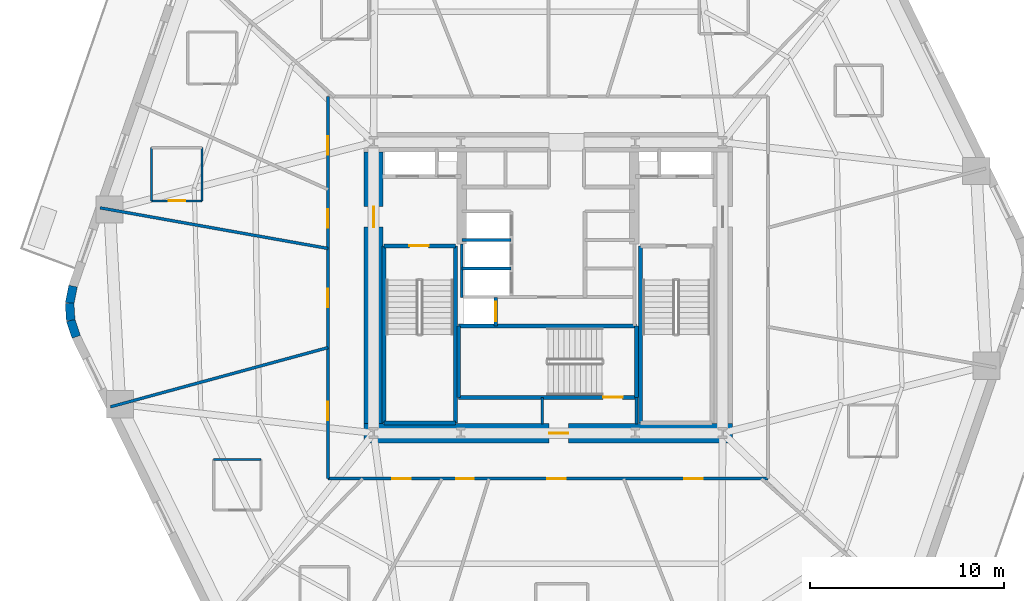
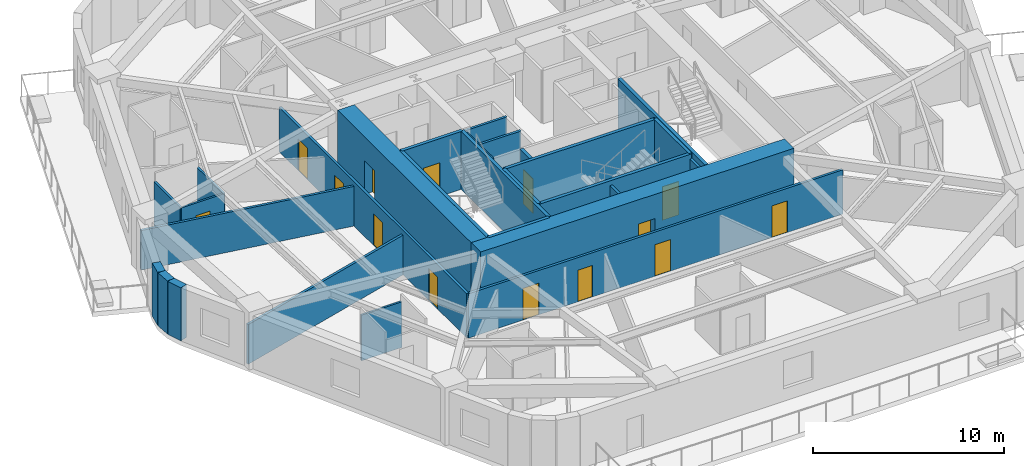
# One storey, part 3 of 10: 28 walls, 14 doors, 14 openings.
"""IFC4 building model written with IfcOpenShell, lengths in metres."""

from ifc_helpers import new_model, si_unit, direction, frame, frame_2d, origin, place, context, subcontext, project, spatial, rectangle, extrude, material, layer, layer_set, type_object, element, fill, save


model = new_model("IFC4")

# Units and contexts
model_context = context("Model", 3, precision=1e-05, world=origin(), true_north=direction((0.0, 1.0)))
body_context = subcontext(model_context, "Body", "Model", "MODEL_VIEW")
ifc_project = project(units=[si_unit("LENGTHUNIT", "METRE"), si_unit("AREAUNIT", "SQUARE_METRE"), si_unit("VOLUMEUNIT", "CUBIC_METRE"), si_unit("PLANEANGLEUNIT", "RADIAN"), si_unit("MASSUNIT", "GRAM", prefix="KILO")], contexts=[model_context])

# Site, building, storey
site_placement = place(None, origin())
site = spatial("IfcSite", under=ifc_project, at=site_placement, CompositionType="ELEMENT")
building_placement = place(site_placement, origin())
building = spatial("IfcBuilding", under=site, at=building_placement, Name="Kilnhurst Terrace Hotel", CompositionType="ELEMENT")
storey_placement = place(building_placement, frame((0.0, 0.0, 67.5)))
storey = spatial("IfcBuildingStorey", under=building, at=storey_placement, Name="L15", CompositionType="ELEMENT", Elevation=67.5)

# Walls
ifc_material_1 = material(Name="Precast concrete C40/50", Category="concrete")
ifc_layer_1 = layer(ifc_material_1, 0.449951171875, Name="Precast concrete C40/50")
ifc_layer_set_1 = layer_set([ifc_layer_1], Name="Precast concrete C40/50")
wall_type_1 = type_object("IfcWallType", Name="WL-BRK-450", PredefinedType="SOLIDWALL", material=ifc_layer_set_1)
wall_1_placement = place(storey_placement, frame((-24.49560546875, 0.07666015625, 0.0), z_axis=(0.0, 0.0, 1.0), x_axis=(-0.199570594521, -0.979883451132, 0.0)))
element("IfcWall", 1, at=wall_1_placement, inside=storey, type_object=wall_type_1, Name="L15 Rounded Corner Brick Wall C6.1", PredefinedType="SOLIDWALL", context=body_context, shape_type="SweptSolid", body=[
    extrude(rectangle(XDim=0.896728515625, YDim=0.449951171875, at=frame_2d((0.4482421875, 0.0))), origin(), (0.0, 0.0, 1.0), 3.39990234375),
])
wall_2_placement = place(storey_placement, frame((-24.674560546875, -0.802001953125, 0.0), z_axis=(0.0, 0.0, 1.0), x_axis=(0.061188874166, -0.998126205286, 0.0)))
element("IfcWall", 2, at=wall_2_placement, inside=storey, type_object=wall_type_1, Name="L15 Rounded Corner Brick Wall C6.2", PredefinedType="SOLIDWALL", context=body_context, shape_type="SweptSolid", body=[
    extrude(rectangle(XDim=0.8818359375, YDim=0.449951171875, at=frame_2d((0.44091796875, 0.0))), origin(), (0.0, 0.0, 1.0), 3.39990234375),
])
wall_3_placement = place(storey_placement, frame((-24.62060546875, -1.68212890625, 0.0), z_axis=(0.0, 0.0, 1.0), x_axis=(0.317697451681, -0.948192137278, 0.0)))
element("IfcWall", 3, at=wall_3_placement, inside=storey, type_object=wall_type_1, Name="L15 Rounded Corner Brick Wall C6.3", PredefinedType="SOLIDWALL", context=body_context, shape_type="SweptSolid", body=[
    extrude(rectangle(XDim=0.896728515625, YDim=0.449951171875, at=frame_2d((0.4482421875, 0.0))), origin(), (0.0, 0.0, 1.0), 3.39990234375),
])

# Wall, openings, doors
ifc_material_2 = material(Name="Acoustic Double-Gypsum Corridor Partition Assembly")
ifc_layer_2 = layer(ifc_material_2, 0.14990234375, Name="Acoustic Double-Gypsum Corridor Partition Assembly")
ifc_layer_set_2 = layer_set([ifc_layer_2], Name="Acoustic Double-Gypsum Corridor Partition Assembly")
wall_type_2 = type_object("IfcWallType", Name="WL-COR-150", PredefinedType="PARTITIONING", material=ifc_layer_set_2)
wall_4_placement = place(storey_placement, frame((-11.35009765625, -9.85009765625, 0.0), z_axis=(0.0, 0.0, 1.0), x_axis=(0.0, 1.0, 0.0)))
wall_4 = element("IfcWall", 4, at=wall_4_placement, inside=storey, type_object=wall_type_2, Name="L15 Interior Wall WL-L15-COR-01", PredefinedType="PARTITIONING", context=body_context, shape_type="SweptSolid", body=[
    extrude(rectangle(XDim=19.7001953125, YDim=0.14990234375, at=frame_2d((9.85009765625, 0.0))), origin(), (0.0, 0.0, 1.0), 2.840087890625),
])
opening_1_placement = place(wall_4_placement, frame((16.714111328125, 0.0, 0.0)))
opening_1 = element("IfcOpeningElement", 5, at=opening_1_placement, cuts=wall_4, Name="Opening D-60B", PredefinedType="OPENING", context=body_context, shape_type="SweptSolid", body=[
    extrude(rectangle(XDim=0.949951171875, YDim=2.030029296875, at=frame_2d((0.47509765625, 1.01513671875))), frame((0.0, 0.0849609375, 0.0), z_axis=(0.0, -1.0, 0.0), x_axis=(1.0, 0.0, 0.0)), (0.0, 0.0, 1.0), 0.169921875),
])
opening_2_placement = place(wall_4_placement, frame((12.931884765625, 0.0, 0.0)))
opening_2 = element("IfcOpeningElement", 6, at=opening_2_placement, cuts=wall_4, Name="Opening D-60B", PredefinedType="OPENING", context=body_context, shape_type="SweptSolid", body=[
    extrude(rectangle(XDim=0.949951171875, YDim=2.030029296875, at=frame_2d((0.47509765625, 1.01513671875))), frame((0.0, 0.0849609375, 0.0), z_axis=(0.0, -1.0, 0.0), x_axis=(1.0, 0.0, 0.0)), (0.0, 0.0, 1.0), 0.169921875),
])
opening_3_placement = place(wall_4_placement, frame((8.837890625, 0.0, 0.0)))
opening_3 = element("IfcOpeningElement", 7, at=opening_3_placement, cuts=wall_4, Name="Opening D-60B", PredefinedType="OPENING", context=body_context, shape_type="SweptSolid", body=[
    extrude(rectangle(XDim=0.949951171875, YDim=2.030029296875, at=frame_2d((0.47509765625, 1.01513671875))), frame((0.0, 0.0849609375, 0.0), z_axis=(0.0, -1.0, 0.0), x_axis=(1.0, 0.0, 0.0)), (0.0, 0.0, 1.0), 0.169921875),
])
opening_4_placement = place(wall_4_placement, frame((3.02392578125, 0.0, 0.0)))
opening_4 = element("IfcOpeningElement", 8, at=opening_4_placement, cuts=wall_4, Name="Opening D-60B", PredefinedType="OPENING", context=body_context, shape_type="SweptSolid", body=[
    extrude(rectangle(XDim=0.949951171875, YDim=2.030029296875, at=frame_2d((0.47509765625, 1.01513671875))), frame((0.0, 0.0849609375, 0.0), z_axis=(0.0, -1.0, 0.0), x_axis=(1.0, 0.0, 0.0)), (0.0, 0.0, 1.0), 0.169921875),
])
ifc_material_3 = material(Name="Acoustic Walnut Veneer Solid-Core Fire Door")
door_type_1 = type_object("IfcDoorType", Name="DR-FD60-950", OperationType="NOTDEFINED", PredefinedType="DOOR", material=ifc_material_3)
door_1_placement = place(opening_1_placement, origin())
door_1 = element("IfcDoor", 9, at=door_1_placement, inside=storey, type_object=door_type_1, Name="L15 Guest Room Entry Door 6", OperationType="SINGLE_SWING_RIGHT", OverallHeight=2.030029296875, OverallWidth=0.949951171875, PredefinedType="DOOR", context=body_context, shape_type="SweptSolid", body=[
    extrude(rectangle(XDim=0.949951171875, YDim=2.030029296875, at=frame_2d((0.47509765625, 1.01513671875))), frame((0.0, 0.02490234375, 0.0), z_axis=(0.0, -1.0, 0.0), x_axis=(1.0, 0.0, 0.0)), (0.0, 0.0, 1.0), 0.050048828125),
])
fill(opening_1, door_1)
door_2_placement = place(opening_2_placement, origin())
door_2 = element("IfcDoor", 10, at=door_2_placement, inside=storey, type_object=door_type_1, Name="L15 Guest Room Entry Door 7", OperationType="SINGLE_SWING_LEFT", OverallHeight=2.030029296875, OverallWidth=0.949951171875, PredefinedType="DOOR", context=body_context, shape_type="SweptSolid", body=[
    extrude(rectangle(XDim=0.949951171875, YDim=2.030029296875, at=frame_2d((0.47509765625, 1.01513671875))), frame((0.0, 0.02490234375, 0.0), z_axis=(0.0, -1.0, 0.0), x_axis=(1.0, 0.0, 0.0)), (0.0, 0.0, 1.0), 0.050048828125),
])
fill(opening_2, door_2)
door_3_placement = place(opening_3_placement, origin())
door_3 = element("IfcDoor", 11, at=door_3_placement, inside=storey, type_object=door_type_1, Name="L15 Wellness Treatment Suite Door", OperationType="SINGLE_SWING_RIGHT", OverallHeight=2.030029296875, OverallWidth=0.949951171875, PredefinedType="DOOR", context=body_context, shape_type="SweptSolid", body=[
    extrude(rectangle(XDim=0.949951171875, YDim=2.030029296875, at=frame_2d((0.47509765625, 1.01513671875))), frame((0.0, 0.02490234375, 0.0), z_axis=(0.0, -1.0, 0.0), x_axis=(1.0, 0.0, 0.0)), (0.0, 0.0, 1.0), 0.050048828125),
])
fill(opening_3, door_3)
door_4_placement = place(opening_4_placement, origin())
door_4 = element("IfcDoor", 12, at=door_4_placement, inside=storey, type_object=door_type_1, Name="L15 Executive Suite Entry Door 9", OperationType="SINGLE_SWING_LEFT", OverallHeight=2.030029296875, OverallWidth=0.949951171875, PredefinedType="DOOR", context=body_context, shape_type="SweptSolid", body=[
    extrude(rectangle(XDim=0.949951171875, YDim=2.030029296875, at=frame_2d((0.47509765625, 1.01513671875))), frame((0.0, 0.02490234375, 0.0), z_axis=(0.0, -1.0, 0.0), x_axis=(1.0, 0.0, 0.0)), (0.0, 0.0, 1.0), 0.050048828125),
])
fill(opening_4, door_4)

wall_5_placement = place(storey_placement, frame((11.35009765625, -9.85009765625, 0.0), z_axis=(0.0, 0.0, 1.0), x_axis=(-1.0, 0.0, 0.0)))
wall_5 = element("IfcWall", 13, at=wall_5_placement, inside=storey, type_object=wall_type_2, Name="L15 Interior Wall WL-L15-COR-04", PredefinedType="PARTITIONING", context=body_context, shape_type="SweptSolid", body=[
    extrude(rectangle(XDim=22.7001953125, YDim=0.14990234375, at=frame_2d((11.35009765625, 0.0))), origin(), (0.0, 0.0, 1.0), 2.840087890625),
])
opening_5_placement = place(wall_5_placement, frame((18.43603515625, 0.0, 0.0)))
opening_5 = element("IfcOpeningElement", 14, at=opening_5_placement, cuts=wall_5, Name="Opening D-60B", PredefinedType="OPENING", context=body_context, shape_type="SweptSolid", body=[
    extrude(rectangle(XDim=0.949951171875, YDim=2.030029296875, at=frame_2d((0.47509765625, 1.01513671875))), frame((0.0, 0.0849609375, 0.0), z_axis=(0.0, -1.0, 0.0), x_axis=(1.0, 0.0, 0.0)), (0.0, 0.0, 1.0), 0.169921875),
])
opening_6_placement = place(wall_5_placement, frame((15.176025390625, 0.0, 0.0)))
opening_6 = element("IfcOpeningElement", 15, at=opening_6_placement, cuts=wall_5, Name="Opening D-60C", PredefinedType="OPENING", context=body_context, shape_type="SweptSolid", body=[
    extrude(rectangle(XDim=0.89990234375, YDim=2.030029296875, at=frame_2d((0.449951171875, 1.01513671875))), frame((0.0, 0.0849609375, 0.0), z_axis=(0.0, -1.0, 0.0), x_axis=(1.0, 0.0, 0.0)), (0.0, 0.0, 1.0), 0.169921875),
])
opening_7_placement = place(wall_5_placement, frame((10.444091796875, 0.0, 0.0)))
opening_7 = element("IfcOpeningElement", 16, at=opening_7_placement, cuts=wall_5, Name="Opening D-60B", PredefinedType="OPENING", context=body_context, shape_type="SweptSolid", body=[
    extrude(rectangle(XDim=0.949951171875, YDim=2.030029296875, at=frame_2d((0.47509765625, 1.01513671875))), frame((0.0, 0.0849609375, 0.0), z_axis=(0.0, -1.0, 0.0), x_axis=(1.0, 0.0, 0.0)), (0.0, 0.0, 1.0), 0.169921875),
])
opening_8_placement = place(wall_5_placement, frame((3.368896484375, 0.0, 0.0)))
opening_8 = element("IfcOpeningElement", 17, at=opening_8_placement, cuts=wall_5, Name="Opening D-60B", PredefinedType="OPENING", context=body_context, shape_type="SweptSolid", body=[
    extrude(rectangle(XDim=0.949951171875, YDim=2.030029296875, at=frame_2d((0.47509765625, 1.01513671875))), frame((0.0, 0.0849609375, 0.0), z_axis=(0.0, -1.0, 0.0), x_axis=(1.0, 0.0, 0.0)), (0.0, 0.0, 1.0), 0.169921875),
])
ifc_material_4 = material(Name="Painted Solid-Core Service Fire Door")
door_type_2 = type_object("IfcDoorType", Name="DR-FD60-900", OperationType="NOTDEFINED", PredefinedType="DOOR", material=ifc_material_4)
door_5_placement = place(opening_6_placement, origin())
door_5 = element("IfcDoor", 18, at=door_5_placement, inside=storey, type_object=door_type_2, Name="L15 Executive Work Office Door 11", OperationType="SINGLE_SWING_LEFT", OverallHeight=2.030029296875, OverallWidth=0.89990234375, PredefinedType="DOOR", context=body_context, shape_type="SweptSolid", body=[
    extrude(rectangle(XDim=0.89990234375, YDim=2.030029296875, at=frame_2d((0.449951171875, 1.01513671875))), frame((0.0, 0.02490234375, 0.0), z_axis=(0.0, -1.0, 0.0), x_axis=(1.0, 0.0, 0.0)), (0.0, 0.0, 1.0), 0.050048828125),
])
fill(opening_6, door_5)
door_6_placement = place(opening_5_placement, origin())
door_6 = element("IfcDoor", 19, at=door_6_placement, inside=storey, type_object=door_type_1, Name="L15 Guest Room Entry Door 10", OperationType="SINGLE_SWING_RIGHT", OverallHeight=2.030029296875, OverallWidth=0.949951171875, PredefinedType="DOOR", context=body_context, shape_type="SweptSolid", body=[
    extrude(rectangle(XDim=0.949951171875, YDim=2.030029296875, at=frame_2d((0.47509765625, 1.01513671875))), frame((0.0, 0.02490234375, 0.0), z_axis=(0.0, -1.0, 0.0), x_axis=(1.0, 0.0, 0.0)), (0.0, 0.0, 1.0), 0.050048828125),
])
fill(opening_5, door_6)
door_7_placement = place(opening_7_placement, origin())
door_7 = element("IfcDoor", 20, at=door_7_placement, inside=storey, type_object=door_type_1, Name="L15 Executive Suite Entry Door 12", OperationType="SINGLE_SWING_RIGHT", OverallHeight=2.030029296875, OverallWidth=0.949951171875, PredefinedType="DOOR", context=body_context, shape_type="SweptSolid", body=[
    extrude(rectangle(XDim=0.949951171875, YDim=2.030029296875, at=frame_2d((0.47509765625, 1.01513671875))), frame((0.0, 0.02490234375, 0.0), z_axis=(0.0, -1.0, 0.0), x_axis=(1.0, 0.0, 0.0)), (0.0, 0.0, 1.0), 0.050048828125),
])
fill(opening_7, door_7)
door_8_placement = place(opening_8_placement, origin())
door_8 = element("IfcDoor", 21, at=door_8_placement, inside=storey, type_object=door_type_1, Name="L15 Concierge Office Door", OperationType="SINGLE_SWING_LEFT", OverallHeight=2.030029296875, OverallWidth=0.949951171875, PredefinedType="DOOR", context=body_context, shape_type="SweptSolid", body=[
    extrude(rectangle(XDim=0.949951171875, YDim=2.030029296875, at=frame_2d((0.47509765625, 1.01513671875))), frame((0.0, 0.02490234375, 0.0), z_axis=(0.0, -1.0, 0.0), x_axis=(1.0, 0.0, 0.0)), (0.0, 0.0, 1.0), 0.050048828125),
])
fill(opening_8, door_8)

# Wall, opening, door
ifc_material_5 = material(Name="Concrete C80/95", Category="concrete")
ifc_layer_3 = layer(ifc_material_5, 1.0, Name="Concrete C80/95")
ifc_layer_set_3 = layer_set([ifc_layer_3], Name="Concrete C80/95")
wall_type_3 = type_object("IfcWallType", Name="WL-CORE-1000", PredefinedType="SHEAR", material=ifc_layer_set_3)
wall_6_placement = place(storey_placement, frame((-9.5, -7.5, 0.0), z_axis=(0.0, 0.0, 1.0), x_axis=(1.0, 0.0, 0.0)))
wall_6 = element("IfcWall", 22, at=wall_6_placement, inside=storey, type_object=wall_type_3, Name="L15 Core South Shear Wall", PredefinedType="SHEAR", context=body_context, shape_type="SweptSolid", body=[
    extrude(rectangle(XDim=19.0, YDim=1.0, at=frame_2d((9.5, 0.0))), origin(), (0.0, 0.0, 1.0), 3.699951171875),
])
opening_9_placement = place(wall_6_placement, frame((9.550048828125, 0.0, 0.0)))
opening_9 = element("IfcOpeningElement", 23, at=opening_9_placement, cuts=wall_6, Name="Opening D-90B", PredefinedType="OPENING", context=body_context, shape_type="SweptSolid", body=[
    extrude(rectangle(XDim=1.0, YDim=2.14990234375, at=frame_2d((0.5, 1.074951171875))), frame((0.0, 0.510009765625, 0.0), z_axis=(0.0, -1.0, 0.0), x_axis=(1.0, 0.0, 0.0)), (0.0, 0.0, 1.0), 1.02001953125),
])
ifc_material_6 = material(Name="Painted Hollow Metal Steel ASTM A36 Fire Door", Category="steel")
door_type_3 = type_object("IfcDoorType", Name="DR-FD90-1000", OperationType="NOTDEFINED", PredefinedType="DOOR", material=ifc_material_6)
door_9_placement = place(opening_9_placement, origin())
door_9 = element("IfcDoor", 24, at=door_9_placement, inside=storey, type_object=door_type_3, Name="L15 Stair ST-3 Corridor Door", OperationType="SINGLE_SWING_RIGHT", OverallHeight=2.14990234375, OverallWidth=1.0, PredefinedType="DOOR", context=body_context, shape_type="SweptSolid", body=[
    extrude(rectangle(XDim=1.0, YDim=2.14990234375, at=frame_2d((0.5, 1.074951171875))), frame((0.0, 0.02490234375, 0.0), z_axis=(0.0, -1.0, 0.0), x_axis=(1.0, 0.0, 0.0)), (0.0, 0.0, 1.0), 0.050048828125),
])
fill(opening_9, door_9)

wall_7_placement = place(storey_placement, frame((-9.0, -7.0, 0.0), z_axis=(0.0, 0.0, 1.0), x_axis=(0.0, 1.0, 0.0)))
wall_7 = element("IfcWall", 25, at=wall_7_placement, inside=storey, type_object=wall_type_3, Name="L15 Core West Shear Wall", PredefinedType="SHEAR", context=body_context, shape_type="SweptSolid", body=[
    extrude(rectangle(XDim=14.0, YDim=1.0, at=frame_2d((7.0, 0.0))), origin(), (0.0, 0.0, 1.0), 3.699951171875),
])
opening_10_placement = place(wall_7_placement, frame((10.125, 0.0, 0.0)))
opening_10 = element("IfcOpeningElement", 26, at=opening_10_placement, cuts=wall_7, Name="Opening D-90A", PredefinedType="OPENING", context=body_context, shape_type="SweptSolid", body=[
    extrude(rectangle(XDim=1.050048828125, YDim=2.14990234375, at=frame_2d((0.52490234375, 1.074951171875))), frame((0.0, 0.510009765625, 0.0), z_axis=(0.0, -1.0, 0.0), x_axis=(1.0, 0.0, 0.0)), (0.0, 0.0, 1.0), 1.02001953125),
])
door_type_4 = type_object("IfcDoorType", Name="DR-FD90-1050", OperationType="NOTDEFINED", PredefinedType="DOOR", material=ifc_material_6)
door_10_placement = place(opening_10_placement, origin())
door_10 = element("IfcDoor", 27, at=door_10_placement, inside=storey, type_object=door_type_4, Name="L15 West Firefighting Lobby Door", OperationType="SINGLE_SWING_RIGHT", OverallHeight=2.14990234375, OverallWidth=1.050048828125, PredefinedType="DOOR", context=body_context, shape_type="SweptSolid", body=[
    extrude(rectangle(XDim=1.050048828125, YDim=2.14990234375, at=frame_2d((0.52490234375, 1.074951171875))), frame((0.0, 0.02490234375, 0.0), z_axis=(0.0, -1.0, 0.0), x_axis=(1.0, 0.0, 0.0)), (0.0, 0.0, 1.0), 0.050048828125),
])
fill(opening_10, door_10)

# Walls
ifc_material_7 = material(Name="STC-58 Acoustic Twin-Frame Guestroom Demising Partition")
ifc_layer_4 = layer(ifc_material_7, 0.14990234375, Name="STC-58 Acoustic Twin-Frame Guestroom Demising Partition")
ifc_layer_set_4 = layer_set([ifc_layer_4], Name="STC-58 Acoustic Twin-Frame Guestroom Demising Partition")
wall_type_4 = type_object("IfcWallType", Name="WL-DEM-150", PredefinedType="PARTITIONING", material=ifc_layer_set_4)
wall_8_placement = place(storey_placement, frame((-11.35009765625, 2.022705078125, 0.0), z_axis=(0.0, 0.0, 1.0), x_axis=(-0.984493741877, 0.17541970301, 0.0)))
element("IfcWall", 28, at=wall_8_placement, inside=storey, type_object=wall_type_4, Name="L15 Interior Wall WL-L15-DEM-COL06-08-1", PredefinedType="PARTITIONING", context=body_context, shape_type="SweptSolid", body=[
    extrude(rectangle(XDim=11.93701171875, YDim=0.14990234375, at=frame_2d((5.968505859375, 0.0))), origin(), (0.0, 0.0, 1.0), 2.5400390625),
])
wall_9_placement = place(storey_placement, frame((-11.35009765625, -3.0908203125, 0.0), z_axis=(0.0, 0.0, 1.0), x_axis=(-0.964859685283, -0.262765651704, 0.0)))
element("IfcWall", 29, at=wall_9_placement, inside=storey, type_object=wall_type_4, Name="L15 Interior Wall WL-L15-DEM-COL07-09-1", PredefinedType="PARTITIONING", context=body_context, shape_type="SweptSolid", body=[
    extrude(rectangle(XDim=11.62890625, YDim=0.14990234375, at=frame_2d((5.814453125, 0.0))), origin(), (0.0, 0.0, 1.0), 2.5400390625),
])

# Wall, opening, door
ifc_material_8 = material(Name="120 mm Moisture-Resistant Tile-Backed Bathroom Partition")
ifc_layer_5 = layer(ifc_material_8, 0.1201171875, Name="120 mm Moisture-Resistant Tile-Backed Bathroom Partition")
ifc_layer_set_5 = layer_set([ifc_layer_5], Name="120 mm Moisture-Resistant Tile-Backed Bathroom Partition")
wall_type_5 = type_object("IfcWallType", Name="WL-PART-120", PredefinedType="PARTITIONING", material=ifc_layer_set_5)
wall_10_placement = place(storey_placement, frame((-20.448974609375, 4.47412109375, 0.0), z_axis=(0.0, 0.0, 1.0), x_axis=(1.0, 0.0, 0.0)))
wall_10 = element("IfcWall", 30, at=wall_10_placement, inside=storey, type_object=wall_type_5, Name="L15 Interior Wall WL-L15-BTH-07-1", PredefinedType="PARTITIONING", context=body_context, shape_type="SweptSolid", body=[
    extrude(rectangle(XDim=2.599853515625, YDim=0.1201171875, at=frame_2d((1.2998046875, 0.0))), origin(), (0.0, 0.0, 1.0), 2.840087890625),
])
opening_11_placement = place(wall_10_placement, frame((0.875, 0.0, 0.0)))
opening_11 = element("IfcOpeningElement", 31, at=opening_11_placement, cuts=wall_10, Name="Opening D-08A", PredefinedType="OPENING", context=body_context, shape_type="SweptSolid", body=[
    extrude(rectangle(XDim=0.85009765625, YDim=2.030029296875, at=frame_2d((0.425048828125, 1.01513671875))), frame((0.0, 0.070068359375, 0.0), z_axis=(0.0, -1.0, 0.0), x_axis=(1.0, 0.0, 0.0)), (0.0, 0.0, 1.0), 0.14013671875),
])
ifc_material_9 = material(Name="Moisture-Resistant Lacquered En-suite Bathroom Door")
door_type_5 = type_object("IfcDoorType", Name="DR-INT-850", OperationType="NOTDEFINED", PredefinedType="DOOR", material=ifc_material_9)
door_11_placement = place(opening_11_placement, origin())
door_11 = element("IfcDoor", 32, at=door_11_placement, inside=storey, type_object=door_type_5, Name="L15 En-suite Bathroom Door 7", OperationType="SINGLE_SWING_RIGHT", OverallHeight=2.030029296875, OverallWidth=0.85009765625, PredefinedType="DOOR", context=body_context, shape_type="SweptSolid", body=[
    extrude(rectangle(XDim=0.85009765625, YDim=2.030029296875, at=frame_2d((0.425048828125, 1.01513671875))), frame((0.0, 0.02490234375, 0.0), z_axis=(0.0, -1.0, 0.0), x_axis=(1.0, 0.0, 0.0)), (0.0, 0.0, 1.0), 0.050048828125),
])
fill(opening_11, door_11)

# Walls
for number, where, z_axis, x_axis, name in (
    (33, (-17.84912109375, 4.47412109375, 0.0), (0.0, 0.0, 1.0), (0.0, 1.0, 0.0), "L15 Interior Wall WL-L15-BTH-07-2"),
    (34, (-20.448974609375, 7.22412109375, 0.0), (0.0, 0.0, 1.0), (0.0, -1.0, 0.0), "L15 Interior Wall WL-L15-BTH-07-4"),
):
    element("IfcWall", number, at=place(storey_placement, frame(where, z_axis=z_axis, x_axis=x_axis)), inside=storey, type_object=wall_type_5, Name=name, PredefinedType="PARTITIONING", context=body_context, shape_type="SweptSolid", body=[
        extrude(rectangle(XDim=2.75, YDim=0.1201171875, at=frame_2d((1.375, 0.0))), origin(), (0.0, 0.0, 1.0), 2.840087890625),
    ])
wall_11_placement = place(storey_placement, frame((-14.803955078125, -8.860107421875, 0.0), z_axis=(0.0, 0.0, 1.0), x_axis=(-1.0, 0.0, 0.0)))
element("IfcWall", 35, at=wall_11_placement, inside=storey, type_object=wall_type_5, Name="L15 Interior Wall WL-L15-BTH-09-3", PredefinedType="PARTITIONING", context=body_context, shape_type="SweptSolid", body=[
    extrude(rectangle(XDim=2.43994140625, YDim=0.1201171875, at=frame_2d((1.219970703125, 0.0))), origin(), (0.0, 0.0, 1.0), 2.926513671875),
])
ifc_material_10 = material(Name="Fire-Rated Gypsum Shaftliner Assembly")
ifc_layer_6 = layer(ifc_material_10, 0.14990234375, Name="Fire-Rated Gypsum Shaftliner Assembly")
ifc_layer_set_6 = layer_set([ifc_layer_6], Name="Fire-Rated Gypsum Shaftliner Assembly")
wall_type_6 = type_object("IfcWallType", Name="WL-SHAFT-150", PredefinedType="PARTITIONING", material=ifc_layer_set_6)
for number, where, z_axis, x_axis, name in (
    (36, (-0.300048828125, -7.02001953125, 0.0), (0.0, 0.0, 1.0), (0.0, 1.0, 0.0), "L15 Interior Wall WL-L15-ST3-PSGW"),
    (37, (4.55810546875, -7.02001953125, 0.0), (0.0, 0.0, 1.0), (0.0, 1.0, 0.0), "L15 Interior Wall WL-L15-ST3-PSGE"),
):
    element("IfcWall", number, at=place(storey_placement, frame(where, z_axis=z_axis, x_axis=x_axis)), inside=storey, type_object=wall_type_6, Name=name, PredefinedType="PARTITIONING", context=body_context, shape_type="SweptSolid", body=[
        extrude(rectangle(XDim=1.362060546875, YDim=0.14990234375, at=frame_2d((0.68115234375, 0.0))), origin(), (0.0, 0.0, 1.0), 3.39990234375),
    ])
wall_12_placement = place(storey_placement, frame((-4.449951171875, -0.5, 0.0), z_axis=(0.0, 0.0, 1.0), x_axis=(0.0, 1.0, 0.0)))
element("IfcWall", 38, at=wall_12_placement, inside=storey, type_object=wall_type_6, Name="L15 Interior Wall WL-L15-XLOB-W", PredefinedType="PARTITIONING", context=body_context, shape_type="SweptSolid", body=[
    extrude(rectangle(XDim=2.75, YDim=0.14990234375, at=frame_2d((1.375, 0.0))), origin(), (0.0, 0.0, 1.0), 3.39990234375),
])
for number, where, z_axis, x_axis, name in (
    (39, (-4.449951171875, 0.97998046875, 0.0), (0.0, 0.0, 1.0), (1.0, 0.0, 0.0), "L15 Interior Wall WL-L15-LR-D1"),
    (40, (-4.449951171875, 2.4599609375, 0.0), (0.0, 0.0, 1.0), (1.0, 0.0, 0.0), "L15 Interior Wall WL-L15-LR-D2"),
):
    element("IfcWall", number, at=place(storey_placement, frame(where, z_axis=z_axis, x_axis=x_axis)), inside=storey, type_object=wall_type_6, Name=name, PredefinedType="PARTITIONING", context=body_context, shape_type="SweptSolid", body=[
        extrude(rectangle(XDim=2.550048828125, YDim=0.14990234375, at=frame_2d((1.27490234375, 0.0))), origin(), (0.0, 0.0, 1.0), 3.39990234375),
    ])

# Wall, opening, door
ifc_material_11 = material(Name="Autoclaved Aerated Concrete C30/37 and Gypsum Shaft Assembly", Category="concrete")
ifc_layer_7 = layer(ifc_material_11, 0.199951171875, Name="Autoclaved Aerated Concrete C30/37 and Gypsum Shaft Assembly")
ifc_layer_set_7 = layer_set([ifc_layer_7], Name="Autoclaved Aerated Concrete C30/37 and Gypsum Shaft Assembly")
wall_type_7 = type_object("IfcWallType", Name="WL-SHAFT-200", PredefinedType="PARTITIONING", material=ifc_layer_set_7)
wall_13_placement = place(storey_placement, frame((-2.699951171875, -1.971923828125, 0.0), z_axis=(0.0, 0.0, 1.0), x_axis=(0.0, 1.0, 0.0)))
wall_13 = element("IfcWall", 41, at=wall_13_placement, inside=storey, type_object=wall_type_7, Name="L15 Interior Wall WL-L15-SRV1-E", PredefinedType="PARTITIONING", context=body_context, shape_type="SweptSolid", body=[
    extrude(rectangle(XDim=1.471923828125, YDim=0.199951171875, at=frame_2d((0.73583984375, 0.0))), origin(), (0.0, 0.0, 1.0), 3.39990234375),
])
opening_12_placement = place(wall_13_placement, frame((0.239990234375, 0.0, 0.0)))
opening_12 = element("IfcOpeningElement", 42, at=opening_12_placement, cuts=wall_13, Name="Opening LD-SV", PredefinedType="OPENING", context=body_context, shape_type="SweptSolid", body=[
    extrude(rectangle(XDim=1.0, YDim=2.199951171875, at=frame_2d((0.5, 1.10009765625))), frame((0.0, 0.10986328125, 0.0), z_axis=(0.0, -1.0, 0.0), x_axis=(1.0, 0.0, 0.0)), (0.0, 0.0, 1.0), 0.219970703125),
])
ifc_material_12 = material(Name="Bronze-Anodized Stainless Steel AISI 316L Sliding Door", Category="steel")
door_type_6 = type_object("IfcDoorType", Name="DR-LIFT-1000", OperationType="NOTDEFINED", PredefinedType="DOOR", material=ifc_material_12)
door_12_placement = place(opening_12_placement, origin())
door_12 = element("IfcDoor", 43, at=door_12_placement, inside=storey, type_object=door_type_6, Name="L15 Service Lift SRV-1 Landing Door", OperationType="SLIDING_TO_LEFT", OverallHeight=2.199951171875, OverallWidth=1.0, PredefinedType="DOOR", context=body_context, shape_type="SweptSolid", body=[
    extrude(rectangle(XDim=1.0, YDim=2.199951171875, at=frame_2d((0.5, 1.10009765625))), frame((0.0, 0.02490234375, 0.0), z_axis=(0.0, -1.0, 0.0), x_axis=(1.0, 0.0, 0.0)), (0.0, 0.0, 1.0), 0.050048828125),
])
fill(opening_12, door_12)

# Walls
ifc_material_13 = material(Name="Concrete C50/60", Category="concrete")
ifc_layer_8 = layer(ifc_material_13, 0.199951171875, Name="Concrete C50/60")
ifc_layer_set_8 = layer_set([ifc_layer_8], Name="Concrete C50/60")
wall_type_8 = type_object("IfcWallType", Name="WL-STAIR-RC-200", PredefinedType="SHEAR", material=ifc_layer_set_8)
for number, where, z_axis, x_axis, name in (
    (44, (-8.4580078125, -6.985107421875, 0.0), (0.0, 0.0, 1.0), (0.0, 1.0, 0.0), "L15 Structural Stair Shaft Wall WL-L15-ST1-W"),
    (45, (-4.77197265625, -6.985107421875, 0.0), (0.0, 0.0, 1.0), (0.0, 1.0, 0.0), "L15 Structural Stair Shaft Wall WL-L15-ST1-E"),
):
    element("IfcWall", number, at=place(storey_placement, frame(where, z_axis=z_axis, x_axis=x_axis)), inside=storey, type_object=wall_type_8, Name=name, PredefinedType="SHEAR", context=body_context, shape_type="SweptSolid", body=[
        extrude(rectangle(XDim=9.14306640625, YDim=0.199951171875, at=frame_2d((4.571533203125, 0.0))), origin(), (0.0, 0.0, 1.0), 3.699951171875),
    ])
wall_14_placement = place(storey_placement, frame((-8.4580078125, -6.985107421875, 0.0), z_axis=(0.0, 0.0, 1.0), x_axis=(1.0, 0.0, 0.0)))
element("IfcWall", 46, at=wall_14_placement, inside=storey, type_object=wall_type_8, Name="L15 Structural Stair Shaft Wall WL-L15-ST1-S", PredefinedType="SHEAR", context=body_context, shape_type="SweptSolid", body=[
    extrude(rectangle(XDim=3.68603515625, YDim=0.199951171875, at=frame_2d((1.843017578125, 0.0))), origin(), (0.0, 0.0, 1.0), 3.699951171875),
])

# Wall, opening, door
wall_15_placement = place(storey_placement, frame((-8.4580078125, 2.157958984375, 0.0), z_axis=(0.0, 0.0, 1.0), x_axis=(1.0, 0.0, 0.0)))
wall_15 = element("IfcWall", 47, at=wall_15_placement, inside=storey, type_object=wall_type_8, Name="L15 Structural Stair Shaft Wall WL-L15-ST1-N", PredefinedType="SHEAR", context=body_context, shape_type="SweptSolid", body=[
    extrude(rectangle(XDim=3.68603515625, YDim=0.199951171875, at=frame_2d((1.843017578125, 0.0))), origin(), (0.0, 0.0, 1.0), 3.699951171875),
])
opening_13_placement = place(wall_15_placement, frame((1.300048828125, 0.0, 0.0)))
opening_13 = element("IfcOpeningElement", 48, at=opening_13_placement, cuts=wall_15, Name="Opening D-90B", PredefinedType="OPENING", context=body_context, shape_type="SweptSolid", body=[
    extrude(rectangle(XDim=1.0, YDim=2.14990234375, at=frame_2d((0.5, 1.074951171875))), frame((0.0, 0.10986328125, 0.0), z_axis=(0.0, -1.0, 0.0), x_axis=(1.0, 0.0, 0.0)), (0.0, 0.0, 1.0), 0.219970703125),
])
door_13_placement = place(opening_13_placement, origin())
door_13 = element("IfcDoor", 49, at=door_13_placement, inside=storey, type_object=door_type_3, Name="L15 Stair ST-1 Door", OperationType="SINGLE_SWING_LEFT", OverallHeight=2.14990234375, OverallWidth=1.0, PredefinedType="DOOR", context=body_context, shape_type="SweptSolid", body=[
    extrude(rectangle(XDim=1.0, YDim=2.14990234375, at=frame_2d((0.5, 1.074951171875))), frame((0.0, 0.02490234375, 0.0), z_axis=(0.0, -1.0, 0.0), x_axis=(1.0, 0.0, 0.0)), (0.0, 0.0, 1.0), 0.050048828125),
])
fill(opening_13, door_13)

# Walls
wall_16_placement = place(storey_placement, frame((4.77197265625, -6.985107421875, 0.0), z_axis=(0.0, 0.0, 1.0), x_axis=(0.0, 1.0, 0.0)))
element("IfcWall", 50, at=wall_16_placement, inside=storey, type_object=wall_type_8, Name="L15 Structural Stair Shaft Wall WL-L15-ST2-W", PredefinedType="SHEAR", context=body_context, shape_type="SweptSolid", body=[
    extrude(rectangle(XDim=9.14306640625, YDim=0.199951171875, at=frame_2d((4.571533203125, 0.0))), origin(), (0.0, 0.0, 1.0), 3.699951171875),
])
wall_17_placement = place(storey_placement, frame((-4.60791015625, -5.657958984375, 0.0), z_axis=(0.0, 0.0, 1.0), x_axis=(0.0, 1.0, 0.0)))
element("IfcWall", 51, at=wall_17_placement, inside=storey, type_object=wall_type_8, Name="L15 Structural Stair Shaft Wall WL-L15-ST3-W", PredefinedType="SHEAR", context=body_context, shape_type="SweptSolid", body=[
    extrude(rectangle(XDim=3.68603515625, YDim=0.199951171875, at=frame_2d((1.843017578125, 0.0))), origin(), (0.0, 0.0, 1.0), 3.699951171875),
])

# Wall, opening, door
wall_18_placement = place(storey_placement, frame((-4.60791015625, -5.657958984375, 0.0), z_axis=(0.0, 0.0, 1.0), x_axis=(1.0, 0.0, 0.0)))
wall_18 = element("IfcWall", 52, at=wall_18_placement, inside=storey, type_object=wall_type_8, Name="L15 Structural Stair Shaft Wall WL-L15-ST3-S", PredefinedType="SHEAR", context=body_context, shape_type="SweptSolid", body=[
    extrude(rectangle(XDim=9.166015625, YDim=0.199951171875, at=frame_2d((4.5830078125, 0.0))), origin(), (0.0, 0.0, 1.0), 3.699951171875),
])
opening_14_placement = place(wall_18_placement, frame((7.449951171875, 0.0, 0.0)))
opening_14 = element("IfcOpeningElement", 53, at=opening_14_placement, cuts=wall_18, Name="Opening D-90B", PredefinedType="OPENING", context=body_context, shape_type="SweptSolid", body=[
    extrude(rectangle(XDim=1.0, YDim=2.14990234375, at=frame_2d((0.5, 1.074951171875))), frame((0.0, 0.10986328125, 0.0), z_axis=(0.0, -1.0, 0.0), x_axis=(1.0, 0.0, 0.0)), (0.0, 0.0, 1.0), 0.219970703125),
])
door_14_placement = place(opening_14_placement, origin())
door_14 = element("IfcDoor", 54, at=door_14_placement, inside=storey, type_object=door_type_3, Name="L15 Stair ST-3 Shaft Door", OperationType="SINGLE_SWING_LEFT", OverallHeight=2.14990234375, OverallWidth=1.0, PredefinedType="DOOR", context=body_context, shape_type="SweptSolid", body=[
    extrude(rectangle(XDim=1.0, YDim=2.14990234375, at=frame_2d((0.5, 1.074951171875))), frame((0.0, 0.02490234375, 0.0), z_axis=(0.0, -1.0, 0.0), x_axis=(1.0, 0.0, 0.0)), (0.0, 0.0, 1.0), 0.050048828125),
])
fill(opening_14, door_14)

# Walls
wall_19_placement = place(storey_placement, frame((-4.60791015625, -1.971923828125, 0.0), z_axis=(0.0, 0.0, 1.0), x_axis=(1.0, 0.0, 0.0)))
element("IfcWall", 55, at=wall_19_placement, inside=storey, type_object=wall_type_8, Name="L15 Structural Stair Shaft Wall WL-L15-ST3-N", PredefinedType="SHEAR", context=body_context, shape_type="SweptSolid", body=[
    extrude(rectangle(XDim=9.166015625, YDim=0.199951171875, at=frame_2d((4.5830078125, 0.0))), origin(), (0.0, 0.0, 1.0), 3.699951171875),
])
wall_20_placement = place(storey_placement, frame((4.55810546875, -5.657958984375, 0.0), z_axis=(0.0, 0.0, 1.0), x_axis=(0.0, 1.0, 0.0)))
element("IfcWall", 56, at=wall_20_placement, inside=storey, type_object=wall_type_8, Name="L15 Structural Stair Shaft Wall WL-L15-ST3-E", PredefinedType="SHEAR", context=body_context, shape_type="SweptSolid", body=[
    extrude(rectangle(XDim=3.68603515625, YDim=0.199951171875, at=frame_2d((1.843017578125, 0.0))), origin(), (0.0, 0.0, 1.0), 3.699951171875),
])

save(model, "model.ifc")
